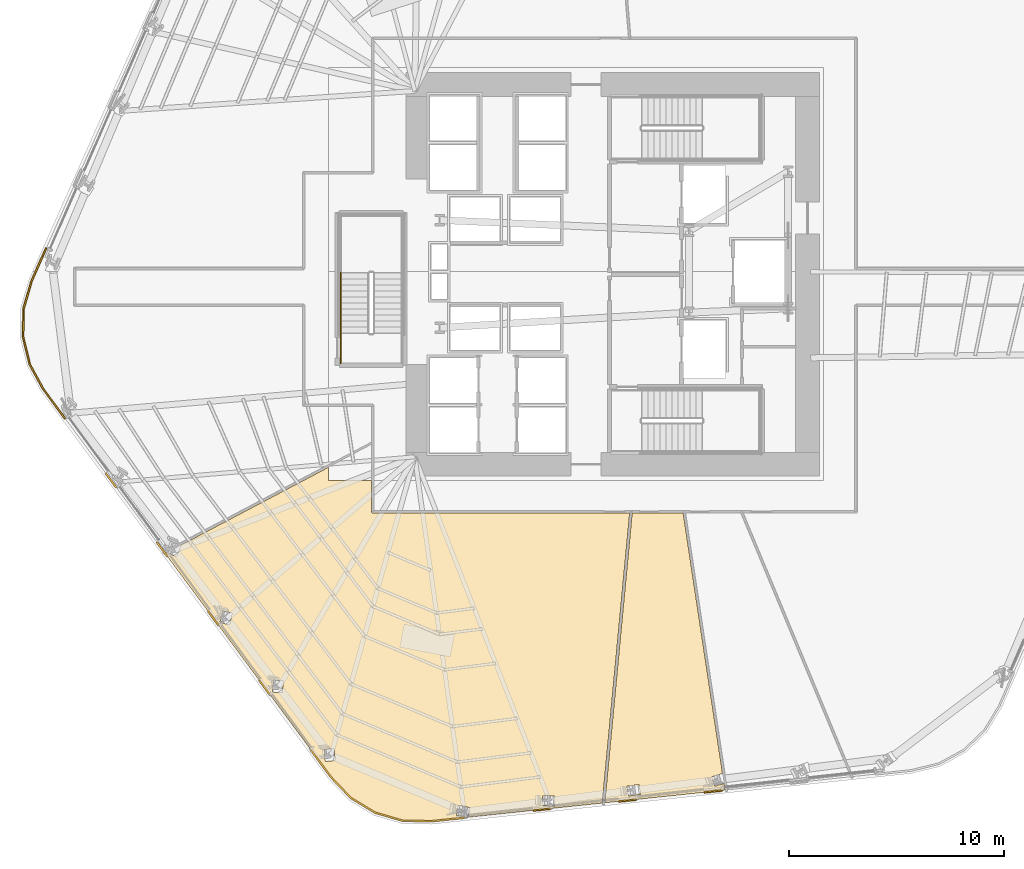
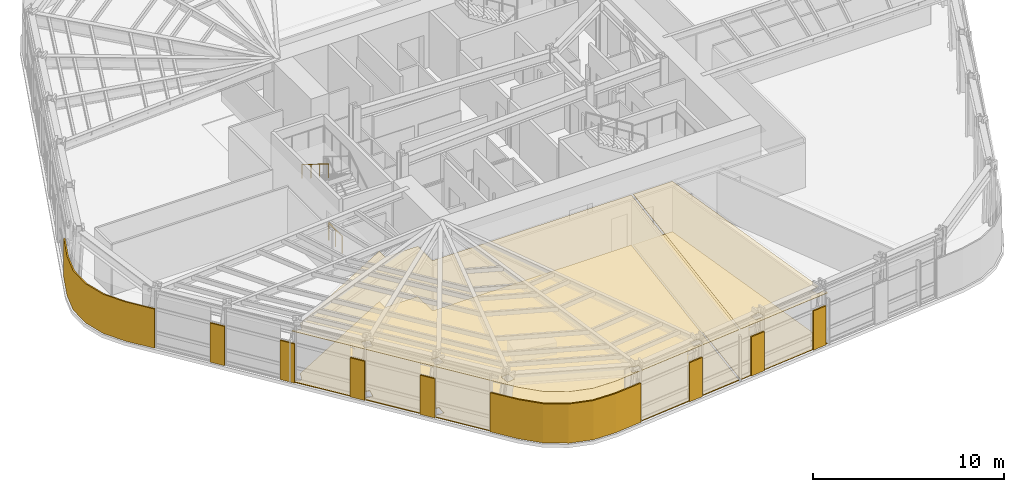
# One storey, part 10 of 16: 13 coverings, 2 railings.
"""IFC4 building model written with IfcOpenShell, lengths in metres."""

from ifc_helpers import new_model, si_unit, direction, frame, origin, origin_2d, place, context, subcontext, project, spatial, polyline, circle, outline, extrude, material, layer, layer_set, type_object, element, save


model = new_model("IFC4")

# Units and contexts
model_context = context("Model", 3, precision=1e-05, world=origin(), true_north=direction((0.0, 1.0)))
body_context = subcontext(model_context, "Body", "Model", "MODEL_VIEW")
ifc_project = project(units=[si_unit("LENGTHUNIT", "METRE"), si_unit("AREAUNIT", "SQUARE_METRE"), si_unit("VOLUMEUNIT", "CUBIC_METRE"), si_unit("PLANEANGLEUNIT", "RADIAN"), si_unit("MASSUNIT", "GRAM", prefix="KILO")], contexts=[model_context])

# Site, building, storey
site_placement = place(None, origin())
site = spatial("IfcSite", under=ifc_project, at=site_placement, CompositionType="ELEMENT")
building_placement = place(site_placement, origin())
building = spatial("IfcBuilding", under=site, at=building_placement, Name="Valkerne Bourse Tower", CompositionType="ELEMENT")
storey_placement = place(building_placement, frame((0.0, 0.0, 50.60009765625)))
storey = spatial("IfcBuildingStorey", under=building, at=storey_placement, Name="L12", CompositionType="ELEMENT", Elevation=50.60009765625)

# Coverings
ifc_material_1 = material(Name="Mineral Fiber Acoustic Ceiling Tile", Category="acoustic")
ifc_layer_1 = layer(ifc_material_1, 0.02490234375)
ifc_layer_set_1 = layer_set([ifc_layer_1], Name="Mineral Fiber Acoustic Ceiling Tile")
covering_type_1 = type_object("IfcCoveringType", Name="COV-CEIL-ACT", PredefinedType="CEILING", material=ifc_layer_set_1)
covering_1_placement = place(storey_placement, frame((0.0, 0.0, 3.22998046875)))
element("IfcCovering", 1, at=covering_1_placement, inside=storey, type_object=covering_type_1, Name="L12 Suspended Ceiling 03", PredefinedType="CEILING", context=body_context, shape_type="SweptSolid", body=[
    extrude(outline(polyline([(50.07080078125, 15.781005859375), (51.8994140625, 3.6884765625), (51.4052734375, 3.529541015625), (51.544921875, 3.09375), (51.54833984375, 3.094482421875), (51.968994140625, 3.229736328125), (52.0166015625, 2.9140625), (46.4306640625, 2.32275390625), (47.70263671875, 15.781005859375), (50.07080078125, 15.781005859375)]), holes=[polyline([(47.535400390625, 2.638427734375), (48.08349609375, 2.71875), (48.017578125, 3.171630859375), (48.01416015625, 3.17138671875), (47.46630859375, 3.09130859375), (47.531982421875, 2.638427734375), (47.535400390625, 2.638427734375)])]), origin(), (0.0, 0.0, 1.0), 0.02490234375),
])
covering_2_placement = place(storey_placement, frame((0.0, 0.0, 3.22998046875)))
element("IfcCovering", 2, at=covering_2_placement, inside=storey, type_object=covering_type_1, Name="L12 Suspended Ceiling 05", PredefinedType="CEILING", context=body_context, shape_type="SweptSolid", body=[
    extrude(outline(polyline([(35.766357421875, 1.86474609375), (34.6376953125, 2.54833984375), (33.717529296875, 3.5078125), (26.00390625, 13.910400390625), (26.1181640625, 13.970947265625), (26.10400390625, 13.935791015625), (26.10595703125, 13.9326171875), (26.530029296875, 13.764892578125), (26.73681640625, 14.28076171875), (26.735107421875, 14.28369140625), (26.72119140625, 14.2890625), (33.60009765625, 17.918701171875), (33.60009765625, 17.300048828125), (35.5810546875, 17.300048828125), (35.5810546875, 15.849365234375), (35.5947265625, 15.808349609375), (35.632568359375, 15.783203125), (47.584228515625, 15.781005859375), (46.310791015625, 2.31005859375), (40.08056640625, 1.650634765625), (40.156494140625, 2.100830078125), (40.15283203125, 2.101806640625), (39.60693359375, 2.193115234375), (39.531005859375, 1.741943359375), (39.53466796875, 1.740966796875), (40.076904296875, 1.650146484375), (38.36279296875, 1.46875), (37.03369140625, 1.49658203125), (35.766357421875, 1.86474609375)]), holes=[polyline([(33.8486328125, 4.841552734375), (33.84521484375, 4.843505859375), (33.391845703125, 4.797607421875), (33.444580078125, 4.24462890625), (33.447998046875, 4.24267578125), (33.9013671875, 4.28857421875), (33.8486328125, 4.841552734375)]), polyline([(31.479248046875, 7.998779296875), (31.023681640625, 8.02099609375), (30.99365234375, 7.46630859375), (30.99658203125, 7.464111328125), (31.451904296875, 7.441650390625), (31.48193359375, 7.99658203125), (31.479248046875, 7.998779296875)]), polyline([(29.11279296875, 11.142333984375), (29.1103515625, 11.14501953125), (28.664306640625, 11.240234375), (28.545654296875, 10.697509765625), (28.548095703125, 10.69482421875), (28.993896484375, 10.599609375), (29.11279296875, 11.142333984375)]), polyline([(44.08837890625, 2.6376953125), (43.53466796875, 2.646484375), (43.526611328125, 2.189208984375), (43.5302734375, 2.188720703125), (44.083984375, 2.1796875), (44.091796875, 2.63720703125), (44.08837890625, 2.6376953125)])]), origin(), (0.0, 0.0, 1.0), 0.02490234375),
])
ifc_material_2 = material(Name="Bronze Anodised Aluminium AA 6063-T6", Category="aluminium")
ifc_layer_2 = layer(ifc_material_2, 0.06005859375)
ifc_layer_set_2 = layer_set([ifc_layer_2], Name="Bronze Anodised Aluminium AA 6063-T6")
covering_type_2 = type_object("IfcCoveringType", Name="COV-CRN-ALUM", PredefinedType="CLADDING", material=ifc_layer_set_2)
covering_3_placement = place(storey_placement, origin())
element("IfcCovering", 3, at=covering_3_placement, inside=storey, type_object=covering_type_2, Name="L12 Wind-Shaped Corner Aluminium Cladding 03", PredefinedType="CLADDING", context=body_context, shape_type="SweptSolid", body=[
    extrude(outline(polyline([(51.062744140625, 2.768798828125), (51.053955078125, 2.848388671875), (51.889404296875, 2.936767578125), (51.898193359375, 2.857177734375), (51.062744140625, 2.768798828125)])), origin(), (0.0, 0.0, 1.0), 2.5),
])
covering_4_placement = place(storey_placement, origin())
element("IfcCovering", 4, at=covering_4_placement, inside=storey, type_object=covering_type_2, Name="L12 Wind-Shaped Corner Aluminium Cladding 04", PredefinedType="CLADDING", context=body_context, shape_type="SweptSolid", body=[
    extrude(outline(polyline([(47.0888671875, 2.34814453125), (47.080078125, 2.427734375), (47.91552734375, 2.51611328125), (47.92431640625, 2.4365234375), (47.0888671875, 2.34814453125)])), origin(), (0.0, 0.0, 1.0), 2.5),
])
covering_5_placement = place(storey_placement, origin())
element("IfcCovering", 5, at=covering_5_placement, inside=storey, type_object=covering_type_2, Name="L12 Wind-Shaped Corner Aluminium Cladding 05", PredefinedType="CLADDING", context=body_context, shape_type="SweptSolid", body=[
    extrude(outline(polyline([(43.114990234375, 1.927490234375), (43.106201171875, 2.007080078125), (43.941650390625, 2.095458984375), (43.950439453125, 2.01611328125), (43.114990234375, 1.927490234375)])), origin(), (0.0, 0.0, 1.0), 2.5),
])
covering_6_placement = place(storey_placement, origin())
element("IfcCovering", 6, at=covering_6_placement, inside=storey, type_object=covering_type_2, Name="L12 Wind-Shaped Corner Aluminium Cladding 06", PredefinedType="CLADDING", context=body_context, shape_type="SweptSolid", body=[
    extrude(outline(polyline([(38.364501953125, 1.4248046875), (37.02685546875, 1.452880859375), (35.74853515625, 1.82421875), (34.610107421875, 2.513671875), (33.683837890625, 3.4794921875), (32.71826171875, 4.781494140625), (32.78271484375, 4.828857421875), (33.7451171875, 3.53125), (34.660400390625, 2.57666015625), (35.781005859375, 1.89794921875), (37.0390625, 1.53271484375), (38.361083984375, 1.5048828125), (39.9677734375, 1.6748046875), (39.9765625, 1.59521484375), (38.364501953125, 1.4248046875)])), origin(), (0.0, 0.0, 1.0), 2.5),
])
covering_7_placement = place(storey_placement, origin())
element("IfcCovering", 7, at=covering_7_placement, inside=storey, type_object=covering_type_2, Name="L12 Wind-Shaped Corner Aluminium Cladding 07", PredefinedType="CLADDING", context=body_context, shape_type="SweptSolid", body=[
    extrude(outline(polyline([(30.338134765625, 7.991455078125), (30.402587890625, 8.038818359375), (30.903076171875, 7.364013671875), (30.83837890625, 7.316650390625), (30.338134765625, 7.991455078125)])), origin(), (0.0, 0.0, 1.0), 2.5),
])
covering_8_placement = place(storey_placement, origin())
element("IfcCovering", 8, at=covering_8_placement, inside=storey, type_object=covering_type_2, Name="L12 Wind-Shaped Corner Aluminium Cladding 08", PredefinedType="CLADDING", context=body_context, shape_type="SweptSolid", body=[
    extrude(outline(polyline([(27.9580078125, 11.201171875), (28.0224609375, 11.24853515625), (28.522705078125, 10.57373046875), (28.458251953125, 10.526611328125), (27.9580078125, 11.201171875)])), origin(), (0.0, 0.0, 1.0), 2.5),
])
covering_9_placement = place(storey_placement, origin())
element("IfcCovering", 9, at=covering_9_placement, inside=storey, type_object=covering_type_2, Name="L12 Wind-Shaped Corner Aluminium Cladding 09", PredefinedType="CLADDING", context=body_context, shape_type="SweptSolid", body=[
    extrude(outline(polyline([(25.577880859375, 14.4111328125), (25.642333984375, 14.45849609375), (26.142578125, 13.78369140625), (26.078125, 13.736328125), (25.577880859375, 14.4111328125)])), origin(), (0.0, 0.0, 1.0), 2.5),
])
covering_10_placement = place(storey_placement, origin())
element("IfcCovering", 10, at=covering_10_placement, inside=storey, type_object=covering_type_2, Name="L12 Wind-Shaped Corner Aluminium Cladding 10", PredefinedType="CLADDING", context=body_context, shape_type="SweptSolid", body=[
    extrude(outline(polyline([(23.197509765625, 17.620849609375), (23.26220703125, 17.668212890625), (23.762451171875, 16.993408203125), (23.697998046875, 16.9462890625), (23.197509765625, 17.620849609375)])), origin(), (0.0, 0.0, 1.0), 2.5),
])
covering_11_placement = place(storey_placement, origin())
element("IfcCovering", 11, at=covering_11_placement, inside=storey, type_object=covering_type_2, Name="L12 Wind-Shaped Corner Aluminium Cladding 11", PredefinedType="CLADDING", context=body_context, shape_type="SweptSolid", body=[
    extrude(outline(polyline([(20.3173828125, 21.50537109375), (19.6728515625, 22.67724609375), (19.35546875, 23.97021484375), (19.38330078125, 25.30078125), (19.75634765625, 26.58544921875), (20.4384765625, 28.120361328125), (20.51171875, 28.08837890625), (19.83154296875, 26.557861328125), (19.462890625, 25.288818359375), (19.435546875, 23.97900390625), (19.748046875, 22.706787109375), (20.384765625, 21.548583984375), (21.38232421875, 20.203369140625), (21.31787109375, 20.156005859375), (20.3173828125, 21.50537109375)])), origin(), (0.0, 0.0, 1.0), 2.5),
])
ifc_material_3 = material(Name="Galvanised Painted Steel", Category="steel")
ifc_layer_3 = layer(ifc_material_3, 0.044921875)
ifc_layer_set_3 = layer_set([ifc_layer_3], Name="Galvanised Painted Steel")
covering_type_3 = type_object("IfcCoveringType", Name="COV-FLR-RAF", PredefinedType="FLOORING", material=ifc_layer_set_3)
covering_12_placement = place(storey_placement, origin())
element("IfcCovering", 12, at=covering_12_placement, inside=storey, type_object=covering_type_3, Name="L12 Floor Finish 05", PredefinedType="FLOORING", context=body_context, shape_type="SweptSolid", body=[
    extrude(outline(polyline([(35.766357421875, 1.86474609375), (34.6376953125, 2.54833984375), (33.717529296875, 3.5078125), (26.00390625, 13.910400390625), (26.1181640625, 13.970947265625), (26.10400390625, 13.935791015625), (26.10595703125, 13.9326171875), (26.530029296875, 13.764892578125), (26.73681640625, 14.28076171875), (26.735107421875, 14.28369140625), (26.72119140625, 14.2890625), (33.60009765625, 17.918701171875), (33.60009765625, 17.300048828125), (35.5810546875, 17.300048828125), (35.5810546875, 15.849365234375), (35.5947265625, 15.808349609375), (35.632568359375, 15.783203125), (47.584228515625, 15.781005859375), (46.310791015625, 2.31005859375), (40.08056640625, 1.650634765625), (40.156494140625, 2.100830078125), (40.15283203125, 2.101806640625), (39.60693359375, 2.193115234375), (39.531005859375, 1.741943359375), (39.53466796875, 1.740966796875), (40.076904296875, 1.650146484375), (38.36279296875, 1.46875), (37.03369140625, 1.49658203125), (35.766357421875, 1.86474609375)]), holes=[polyline([(33.8486328125, 4.841552734375), (33.84521484375, 4.843505859375), (33.391845703125, 4.797607421875), (33.444580078125, 4.24462890625), (33.447998046875, 4.24267578125), (33.9013671875, 4.28857421875), (33.8486328125, 4.841552734375)]), polyline([(31.479248046875, 7.998779296875), (31.023681640625, 8.02099609375), (30.99365234375, 7.46630859375), (30.99658203125, 7.464111328125), (31.451904296875, 7.441650390625), (31.48193359375, 7.99658203125), (31.479248046875, 7.998779296875)]), polyline([(29.11279296875, 11.142333984375), (29.1103515625, 11.14501953125), (28.664306640625, 11.240234375), (28.545654296875, 10.697509765625), (28.548095703125, 10.69482421875), (28.993896484375, 10.599609375), (29.11279296875, 11.142333984375)]), polyline([(44.08837890625, 2.6376953125), (43.53466796875, 2.646484375), (43.526611328125, 2.189208984375), (43.5302734375, 2.188720703125), (44.083984375, 2.1796875), (44.091796875, 2.63720703125), (44.08837890625, 2.6376953125)])]), origin(), (0.0, 0.0, 1.0), 0.044921875),
])
ifc_material_4 = material(Name="Polished Granite Stone", Category="masonry")
ifc_layer_4 = layer(ifc_material_4, 0.030029296875)
ifc_layer_set_4 = layer_set([ifc_layer_4], Name="Polished Granite Stone")
covering_type_4 = type_object("IfcCoveringType", Name="COV-FLR-TERRAZZO", PredefinedType="FLOORING", material=ifc_layer_set_4)
covering_13_placement = place(storey_placement, origin())
element("IfcCovering", 13, at=covering_13_placement, inside=storey, type_object=covering_type_4, Name="L12 Floor Finish 03", PredefinedType="FLOORING", context=body_context, shape_type="SweptSolid", body=[
    extrude(outline(polyline([(50.07080078125, 15.781005859375), (51.8994140625, 3.6884765625), (51.4052734375, 3.529541015625), (51.544921875, 3.09375), (51.54833984375, 3.094482421875), (51.968994140625, 3.229736328125), (52.0166015625, 2.9140625), (46.4306640625, 2.32275390625), (47.70263671875, 15.781005859375), (50.07080078125, 15.781005859375)]), holes=[polyline([(47.535400390625, 2.638427734375), (48.08349609375, 2.71875), (48.017578125, 3.171630859375), (48.01416015625, 3.17138671875), (47.46630859375, 3.09130859375), (47.531982421875, 2.638427734375), (47.535400390625, 2.638427734375)])]), origin(), (0.0, 0.0, 1.0), 0.02978515625),
])

# Railings
railing_type_1 = type_object("IfcRailingType", Name="RLG-ST-GUARD-1120", PredefinedType="GUARDRAIL", material=ifc_material_3)
railing_1_placement = place(storey_placement, frame((34.14990234375, 22.75, 0.0)))
element("IfcRailing", 14, at=railing_1_placement, inside=storey, type_object=railing_type_1, Name="L12 ST-3 stair guard 9", PredefinedType="GUARDRAIL", context=body_context, shape_type="SweptSolid", body=[
    extrude(circle(Radius=0.02392578125, at=origin_2d()), frame((0.0, 0.0, 1.09619140625), z_axis=(0.0, 1.0, 0.0), x_axis=(-1.0, 0.0, 0.0)), (0.0, 0.0, 1.0), 1.39990234375),
    extrude(circle(Radius=0.02099609375, at=origin_2d()), origin(), (0.0, 0.0, 1.0), 1.072021484375),
    extrude(circle(Radius=0.02099609375, at=origin_2d()), frame((0.0, 0.699951171875, 0.0)), (0.0, 0.0, 1.0), 1.072021484375),
    extrude(circle(Radius=0.02099609375, at=origin_2d()), frame((0.0, 1.39990234375, 0.0)), (0.0, 0.0, 1.0), 1.072021484375),
])
ifc_material_5 = material(Name="Stainless Steel AISI 316", Category="steel")
railing_type_2 = type_object("IfcRailingType", Name="RLG-ST-HANDRAIL-900", PredefinedType="HANDRAIL", material=ifc_material_5)
railing_2_placement = place(storey_placement, frame((34.14990234375, 26.949951171875, 2.245361328125)))
element("IfcRailing", 15, at=railing_2_placement, inside=storey, type_object=railing_type_2, Name="L12 ST-3 stair handrail 2", PredefinedType="HANDRAIL", context=body_context, shape_type="SweptSolid", body=[
    extrude(circle(Radius=0.02392578125, at=origin_2d()), frame((0.0, 0.0, 0.8759765625), z_axis=(0.0, -0.851089632645, 0.525020415988), x_axis=(1.0, 0.0, 0.0)), (0.0, 0.0, 1.0), 3.2900390625),
    extrude(circle(Radius=0.02099609375, at=origin_2d()), origin(), (0.0, 0.0, 1.0), 0.851806640625),
    extrude(circle(Radius=0.02099609375, at=origin_2d()), frame((0.0, -0.933349609375, 0.57568359375)), (0.0, 0.0, 1.0), 0.851806640625),
    extrude(circle(Radius=0.02099609375, at=origin_2d()), frame((0.0, -1.86669921875, 1.151611328125)), (0.0, 0.0, 1.0), 0.851806640625),
    extrude(circle(Radius=0.02099609375, at=origin_2d()), frame((0.0, -2.800048828125, 1.727294921875)), (0.0, 0.0, 1.0), 0.851806640625),
])

save(model, "model.ifc")
